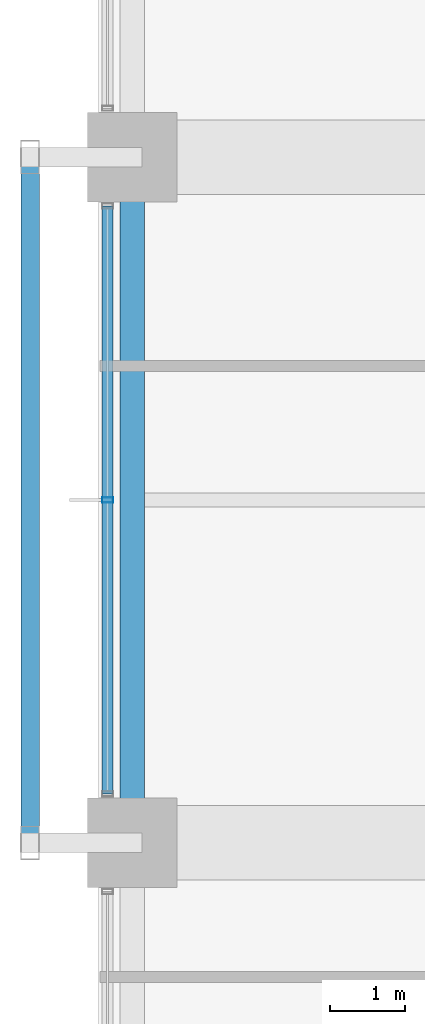
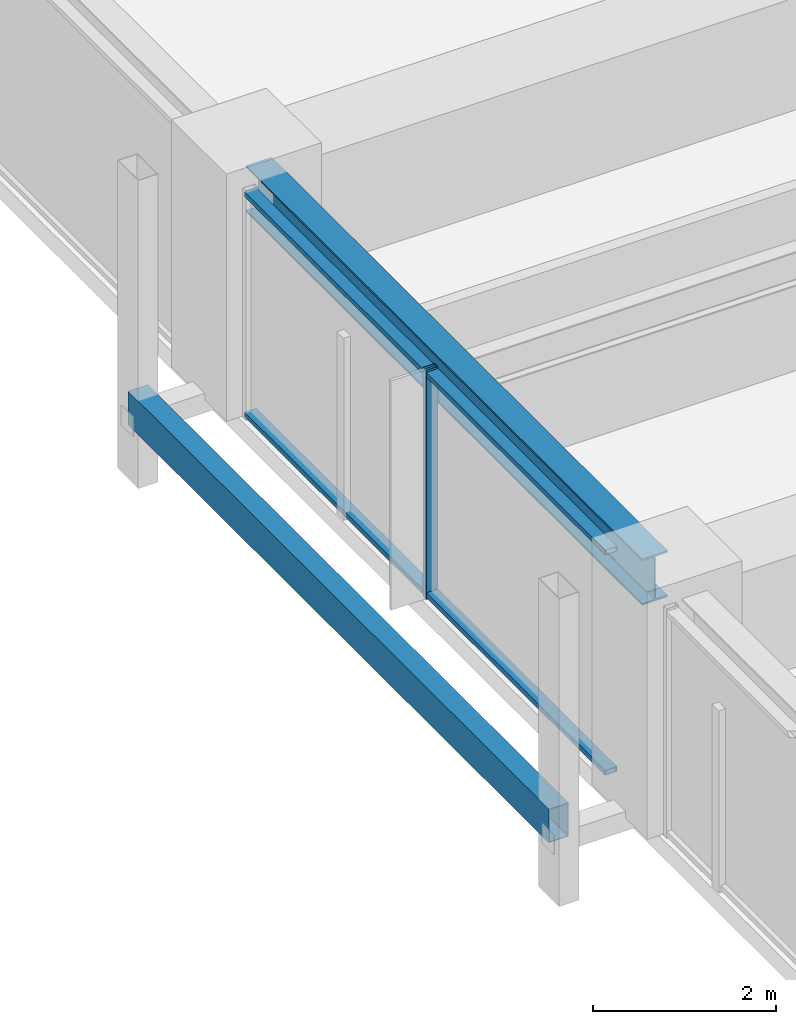
# One storey, part 8 of 37: 4 members, 1 beam, 1 element without a shape of its own.
"""IFC4 building model written with IfcOpenShell, lengths in metres."""

import ifcopenshell
import ifcopenshell.guid

model = None  # the IFC model being written
_history = None  # IfcOwnerHistory: only IFC2X3 demands one
_inside = {}  # id of a spatial element -> (the spatial element, [elements in it])
_under = {}  # id of a project, library or spatial element -> (it, [spatial elements below it])
_declared = {}  # id of a project -> (the project, [libraries it declares])
_typed = {}  # id of a type object -> (the type object, [elements of that type])
_made_of = {}  # id of a material, layer set ... -> (it, [elements and type objects made of it])


def new_model(schema):
    """Start an empty IFC model of exactly this schema.

    Asked for "IFC4X3", IfcOpenShell would pick the latest addendum, in which some entities
    have other attributes; the version numbers below select the first issue.
    IFC2X3 requires an IfcOwnerHistory on every rooted entity: one is made here for all.
    """
    global model, _history
    if schema == "IFC4X3":
        model = ifcopenshell.file(schema_version=(4, 3, 0, 0))
    else:
        model = ifcopenshell.file(schema=schema)
    _inside.clear()
    _under.clear()
    _declared.clear()
    _typed.clear()
    _made_of.clear()
    _history = None
    if model.schema == "IFC2X3":
        org = make("IfcOrganization", Name="unknown")
        user = make(
            "IfcPersonAndOrganization",
            ThePerson=make("IfcPerson", FamilyName="unknown"),
            TheOrganization=org,
        )
        app = make(
            "IfcApplication",
            ApplicationDeveloper=org,
            Version="unknown",
            ApplicationFullName="unknown",
            ApplicationIdentifier="unknown",
        )
        _history = make(
            "IfcOwnerHistory",
            OwningUser=user,
            OwningApplication=app,
            ChangeAction="ADDED",
            CreationDate=0,
        )
    return model


def make(cls, **values):
    """One entity of the class cls with the attributes given. An attribute that is None is left unset."""
    return model.create_entity(
        cls, **{name: value for name, value in values.items() if value is not None}
    )


def rooted(cls, **values):
    """An entity with a GlobalId (a new one), such as an element, a storey or a relation."""
    return make(cls, GlobalId=ifcopenshell.guid.new(), OwnerHistory=_history, **values)


def si_unit(unit_type, name, prefix=None):
    """IfcSIUnit, for example si_unit("LENGTHUNIT", "METRE", prefix="MILLI")."""
    return make("IfcSIUnit", UnitType=unit_type, Prefix=prefix, Name=name)


def assignment(units):
    """IfcUnitAssignment: the units of a project."""
    return None if units is None else make("IfcUnitAssignment", Units=units)


def point(xyz):
    """IfcCartesianPoint."""
    return None if xyz is None else make("IfcCartesianPoint", Coordinates=xyz)


def direction(xyz):
    """IfcDirection."""
    return None if xyz is None else make("IfcDirection", DirectionRatios=xyz)


def frame(location, z_axis=None, x_axis=None):
    """IfcAxis2Placement3D, a coordinate frame: its origin and axes. An axis left out is left unset."""
    return make(
        "IfcAxis2Placement3D",
        Location=point(location),
        Axis=direction(z_axis),
        RefDirection=direction(x_axis),
    )


def frame_2d(location, x_axis=None):
    """IfcAxis2Placement2D, a coordinate frame in the plane: its origin and x axis."""
    return make(
        "IfcAxis2Placement2D", Location=point(location), RefDirection=direction(x_axis)
    )


def origin():
    """The frame at (0, 0, 0) with its axes left unset."""
    return frame((0.0, 0.0, 0.0))


def origin_2d():
    """The frame at (0, 0) in the plane with its x axis left unset."""
    return frame_2d((0.0, 0.0))


def place(relative_to, where):
    """IfcLocalPlacement: puts the frame where relative to a parent placement (None: the world)."""
    return make(
        "IfcLocalPlacement", PlacementRelTo=relative_to, RelativePlacement=where
    )


def context(
    kind, dimensions, precision=None, world=None, true_north=None, identifier=None
):
    """IfcGeometricRepresentationContext, for example the 3D "Model" context."""
    return make(
        "IfcGeometricRepresentationContext",
        ContextIdentifier=identifier,
        ContextType=kind,
        CoordinateSpaceDimension=dimensions,
        Precision=precision,
        WorldCoordinateSystem=world,
        TrueNorth=true_north,
    )


def subcontext(parent, identifier, kind, view, scale=None):
    """IfcGeometricRepresentationSubContext, for example "Body" below "Model"."""
    return make(
        "IfcGeometricRepresentationSubContext",
        ContextIdentifier=identifier,
        ContextType=kind,
        ParentContext=parent,
        TargetScale=scale,
        TargetView=view,
    )


def project(units=None, contexts=None):
    """IfcProject with its units and contexts."""
    return rooted(
        "IfcProject",
        Name="project",
        RepresentationContexts=contexts,
        UnitsInContext=assignment(units),
    )


def spatial(cls, under=None, at=None, **own):
    """A site, building, storey or space (cls), placed at a placement, below another one or the project."""
    s = rooted(cls, ObjectPlacement=at, **own)
    if under is not None:
        _under.setdefault(under.id(), (under, []))[1].append(s)
    return s


def profile(cls, at=None, kind="AREA", **sizes):
    """A parametric profile (cls). Its sizes go by their IFC names, for example OverallWidth=200.0."""
    return make(cls, ProfileType=kind, Position=at, **sizes)


def hollow_rectangle(**sizes):
    """IfcRectangleHollowProfileDef."""
    return profile("IfcRectangleHollowProfileDef", **sizes)


def i_section(**sizes):
    """IfcIShapeProfileDef."""
    return profile("IfcIShapeProfileDef", **sizes)


def extrude(swept, where, along, depth):
    """IfcExtrudedAreaSolid: the profile swept, set in the frame where, extruded along a direction by depth."""
    return make(
        "IfcExtrudedAreaSolid",
        SweptArea=swept,
        Position=where,
        ExtrudedDirection=direction(along),
        Depth=depth,
    )


def shape(context_of_items, identifier, shape_type, items):
    """IfcShapeRepresentation: the items that make up one representation, for example the "Body"."""
    return make(
        "IfcShapeRepresentation",
        ContextOfItems=context_of_items,
        RepresentationIdentifier=identifier,
        RepresentationType=shape_type,
        Items=items,
    )


def material(Name=None, Category=None):
    """IfcMaterial."""
    return make("IfcMaterial", Name=Name, Category=Category)


def material_profile(
    of_material, cross_section, Name=None, Category=None, Priority=None
):
    """IfcMaterialProfile: a cross section and its material."""
    return make(
        "IfcMaterialProfile",
        Name=Name,
        Material=of_material,
        Profile=cross_section,
        Priority=Priority,
        Category=Category,
    )


def profile_set(profiles, Name=None, composite=None):
    """IfcMaterialProfileSet."""
    return make(
        "IfcMaterialProfileSet",
        Name=Name,
        MaterialProfiles=profiles,
        CompositeProfile=composite,
    )


def made_of(thing, what):
    """Note that an element or type object is made of a material, layer set ...; save() writes the relation."""
    if what is not None:
        _made_of.setdefault(what.id(), (what, []))[1].append(thing)
    return thing


def type_object(cls, material=None, **own):
    """A type object (cls), such as IfcWallType, which elements share."""
    return made_of(rooted(cls, **own), material)


def element(
    cls,
    number,
    at=None,
    inside=None,
    cuts=None,
    type_object=None,
    material=None,
    context=None,
    identifier="Body",
    shape_type=None,
    held_by="IfcProductDefinitionShape",
    body=None,
    shapes=None,
    **own,
):
    """One element of the class cls, such as IfcWall. Its Tag is "e" and its number.

    at: its placement. inside: the storey or other place that contains it. cuts: it is an
    opening in that element (IfcRelVoidsElement). A single representation is given by context,
    identifier, shape_type and body (its items); several are given by shapes. held_by: the class
    of the entity that holds the representations. save() writes the other relations.
    """
    e = rooted(cls, Tag="e%d" % number, ObjectPlacement=at, **own)
    if body is not None:
        shapes = [shape(context, identifier, shape_type, body)]
    if shapes is not None:
        e.Representation = make(held_by, Representations=shapes)
    if inside is not None:
        _inside.setdefault(inside.id(), (inside, []))[1].append(e)
    if cuts is not None:
        rooted(
            "IfcRelVoidsElement", RelatingBuildingElement=cuts, RelatedOpeningElement=e
        )
    if type_object is not None:
        _typed.setdefault(type_object.id(), (type_object, []))[1].append(e)
    return made_of(e, material)


def aggregate(whole, parts):
    """IfcRelAggregates: a whole, such as a stair, and the parts it consists of."""
    return rooted("IfcRelAggregates", RelatingObject=whole, RelatedObjects=parts)


def save(model, path):
    """Write the relations noted so far, then the file.

    IfcRelAggregates (storeys below a building ...), IfcRelContainedInSpatialStructure (elements
    in a storey), IfcRelDefinesByType, IfcRelAssociatesMaterial and IfcRelDeclares: one each for
    every whole, place, type object, material and project.
    """
    for whole, parts in _under.values():
        aggregate(whole, parts)
    for where, things in _inside.values():
        rooted(
            "IfcRelContainedInSpatialStructure",
            RelatedElements=things,
            RelatingStructure=where,
        )
    for kind, things in _typed.values():
        rooted("IfcRelDefinesByType", RelatedObjects=things, RelatingType=kind)
    for what, things in _made_of.values():
        rooted("IfcRelAssociatesMaterial", RelatedObjects=things, RelatingMaterial=what)
    for by, libraries in _declared.values():
        rooted("IfcRelDeclares", RelatingContext=by, RelatedDefinitions=libraries)
    model.write(path)


model = new_model("IFC4")

# Units and contexts
model_context = context("Model", 3, precision=1e-05, world=origin(), true_north=direction((0.0, 1.0)))
body_context = subcontext(model_context, "Body", "Model", "MODEL_VIEW")
ifc_project = project(units=[si_unit("LENGTHUNIT", "METRE"), si_unit("AREAUNIT", "SQUARE_METRE"), si_unit("VOLUMEUNIT", "CUBIC_METRE"), si_unit("PLANEANGLEUNIT", "RADIAN"), si_unit("MASSUNIT", "GRAM", prefix="KILO")], contexts=[model_context])

# Site, building, storey
site_placement = place(None, origin())
site = spatial("IfcSite", under=ifc_project, at=site_placement, CompositionType="ELEMENT")
building_placement = place(site_placement, origin())
building = spatial("IfcBuilding", under=site, at=building_placement, Name="Kolvaren Belvedere", CompositionType="ELEMENT")
storey_placement = place(building_placement, frame((0.0, 0.0, 43.60009765625)))
storey = spatial("IfcBuildingStorey", under=building, at=storey_placement, Name="L12", CompositionType="ELEMENT", Elevation=43.60009765625)

# Beam
ifc_material_1 = material(Name="Structural steel ASTM A992 Grade 50", Category="steel")
ifc_material_profile_1 = material_profile(ifc_material_1, i_section(OverallWidth=0.324951171875, OverallDepth=0.615966796875, WebThickness=0.013916015625, FlangeThickness=0.021484375, FilletRadius=0.02001953125, at=origin_2d()), Name="W24X117")
ifc_profile_set_1 = profile_set([ifc_material_profile_1], Name="Structural steel ASTM A992 Grade 50")
beam_type = type_object("IfcBeamType", Name="BM-SPAN-W24X117", PredefinedType="SPANDREL", material=ifc_profile_set_1)
beam_placement = place(storey_placement, frame((-21.550048828125, 4.330078125, 2.751953125), z_axis=(0.0, -1.0, 0.0), x_axis=(1.0, 0.0, 0.0)))
element("IfcBeam", 1, at=beam_placement, inside=storey, type_object=beam_type, Name="L12 Perimeter Spandrel W3-W2", PredefinedType="SPANDREL", context=body_context, shape_type="SweptSolid", body=[
    extrude(i_section(OverallWidth=0.324951171875, OverallDepth=0.615966796875, WebThickness=0.013916015625, FlangeThickness=0.021484375, FilletRadius=0.02001953125, at=origin_2d()), origin(), (0.0, 0.0, 1.0), 8.66015625),
])

# Curtain wall, members
ifc_material_2 = material(Name="Anodised pale-metal aluminium AA 6063-T6", Category="aluminium")
curtain_wall_type = type_object("IfcCurtainWallType", Name="CW-Z1-LOW", PredefinedType="NOTDEFINED", material=ifc_material_2)
curtain_wall_placement = place(storey_placement, origin())
curtain_wall = element("IfcCurtainWall", 2, at=curtain_wall_placement, inside=storey, type_object=curtain_wall_type, Name="L12 Unitised Curtain Wall FCW-L12-W-B2", PredefinedType="NOTDEFINED")
ifc_material_3 = material(Name="Anodised pale-metal aluminium AA 6063-T6", Category="aluminium")
ifc_material_profile_2 = material_profile(ifc_material_3, hollow_rectangle(XDim=0.070068359375, YDim=0.14990234375, WallThickness=0.004150390625, at=origin_2d()), Name="ALU-MUL-150X70")
ifc_profile_set_2 = profile_set([ifc_material_profile_2], Name="Anodised pale-metal aluminium AA 6063-T6")
member_type_1 = type_object("IfcMemberType", Name="CW-MUL-150", PredefinedType="MULLION", material=ifc_profile_set_2)
member_1_placement = place(storey_placement, frame((-21.8798828125, 0.0, 0.0), z_axis=(0.0, 0.0, 1.0), x_axis=(0.0, 1.0, 0.0)))
member_1 = element("IfcMember", 3, at=member_1_placement, type_object=member_type_1, Name="FCW-L12-W-B2 Unitised Mullion 2", PredefinedType="MULLION", context=body_context, shape_type="SweptSolid", body=[
    extrude(hollow_rectangle(XDim=0.070068359375, YDim=0.14990234375, WallThickness=0.004150390625, at=origin_2d()), origin(), (0.0, 0.0, 1.0), 3.059814453125),
])
ifc_material_4 = material(Name="Anodised pale-metal aluminium AA 6063-T6", Category="aluminium")
ifc_material_profile_3 = material_profile(ifc_material_4, hollow_rectangle(XDim=0.06494140625, YDim=0.14990234375, WallThickness=0.00390625, at=origin_2d()), Name="ALU-TRN-150X65")
ifc_profile_set_3 = profile_set([ifc_material_profile_3], Name="Anodised pale-metal aluminium AA 6063-T6")
member_type_2 = type_object("IfcMemberType", Name="CW-TRN-150", PredefinedType="USERDEFINED", material=ifc_profile_set_3)
member_2_placement = place(storey_placement, frame((-21.8798828125, -3.945068359375, 0.059814453125), z_axis=(0.0, 1.0, 0.0), x_axis=(0.0, 0.0, 1.0)))
member_2 = element("IfcMember", 4, at=member_2_placement, type_object=member_type_2, Name="FCW-L12-W-B2 Sill Transom", ObjectType="TRANSOM", PredefinedType="USERDEFINED", context=body_context, shape_type="SweptSolid", body=[
    extrude(hollow_rectangle(XDim=0.06494140625, YDim=0.14990234375, WallThickness=0.00390625, at=origin_2d()), origin(), (0.0, 0.0, 1.0), 7.89013671875),
])
member_3_placement = place(storey_placement, frame((-21.8798828125, -3.945068359375, 3.0), z_axis=(0.0, 1.0, 0.0), x_axis=(0.0, 0.0, 1.0)))
member_3 = element("IfcMember", 5, at=member_3_placement, type_object=member_type_2, Name="FCW-L12-W-B2 Head Transom", ObjectType="TRANSOM", PredefinedType="USERDEFINED", context=body_context, shape_type="SweptSolid", body=[
    extrude(hollow_rectangle(XDim=0.06494140625, YDim=0.14990234375, WallThickness=0.00390625, at=origin_2d()), origin(), (0.0, 0.0, 1.0), 7.89013671875),
])
aggregate(curtain_wall, [member_1, member_2, member_3])

# Member
ifc_material_5 = material(Name="Anodised pale-metal aluminium AA 6063-T6", Category="aluminium")
ifc_material_profile_4 = material_profile(ifc_material_5, hollow_rectangle(XDim=0.25, YDim=0.449951171875, WallThickness=0.008544921875, at=origin_2d()), Name="ALU-PF-450X250")
ifc_profile_set_4 = profile_set([ifc_material_profile_4], Name="Anodised pale-metal aluminium AA 6063-T6")
member_type_3 = type_object("IfcMemberType", Name="PF-FRAME-450", PredefinedType="USERDEFINED", material=ifc_profile_set_4)
member_4_placement = place(storey_placement, frame((-22.919921875, -4.60009765625, 0.1298828125), z_axis=(0.0, 1.0, 0.0), x_axis=(-1.0, 0.0, 0.0)))
element("IfcMember", 6, at=member_4_placement, inside=storey, type_object=member_type_3, Name="L12 Outboard Picture-Frame Sill W", ObjectType="PICTURE FRAME FIN", PredefinedType="USERDEFINED", context=body_context, shape_type="SweptSolid", body=[
    extrude(hollow_rectangle(XDim=0.25, YDim=0.449951171875, WallThickness=0.008544921875, at=origin_2d()), origin(), (0.0, 0.0, 1.0), 9.2001953125),
])

save(model, "model.ifc")
